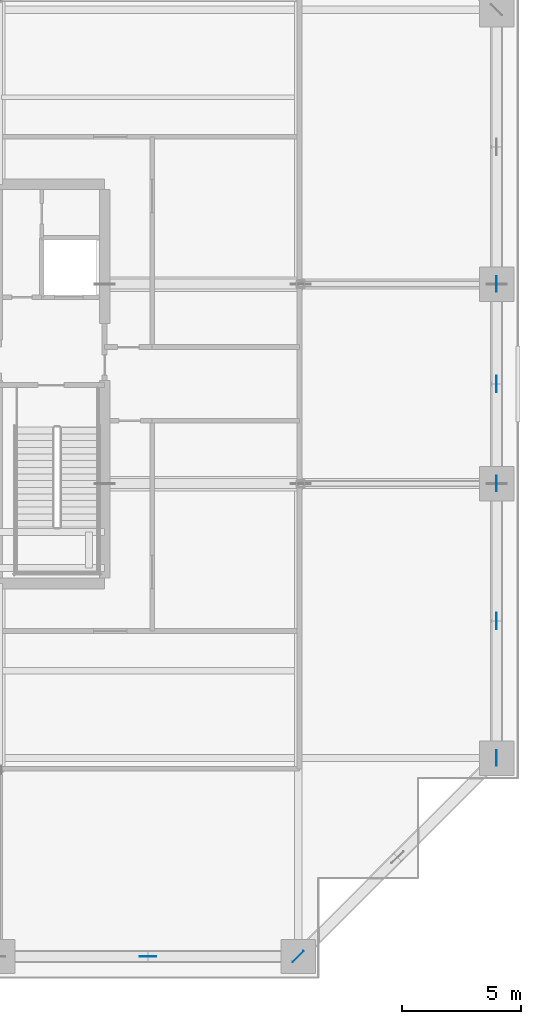
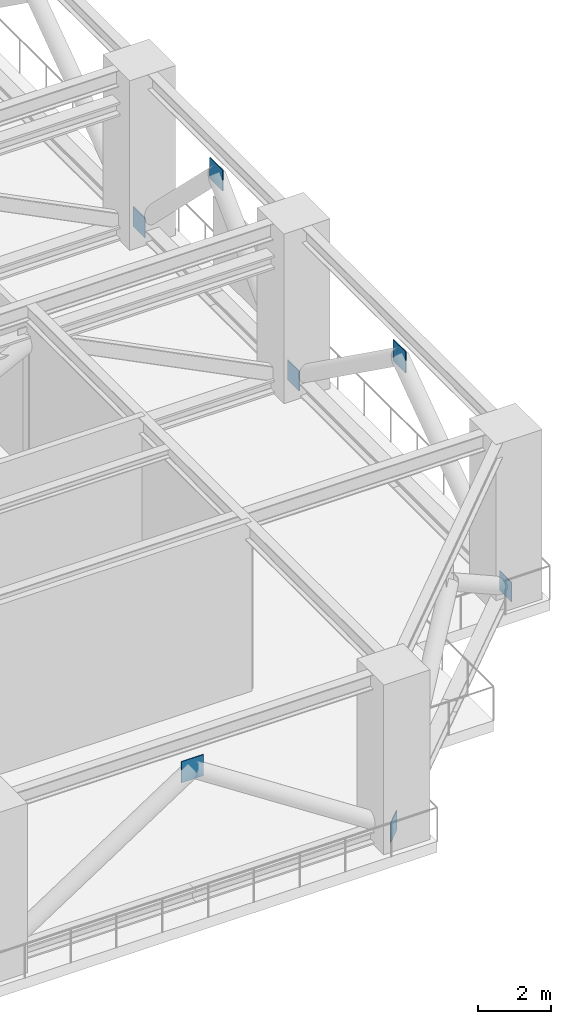
# One storey, part 11 of 21: 7 plates.
"""IFC4 building model written with IfcOpenShell, lengths in metres."""

from ifc_helpers import new_model, si_unit, direction, frame, origin, origin_2d, place, context, subcontext, project, spatial, rectangle, extrude, source, transform, mapped, material, layer, layer_set, type_object, element, save


model = new_model("IFC4")

# Units and contexts
model_context = context("Model", 3, precision=1e-05, world=origin(), true_north=direction((0.0, 1.0)))
body_context = subcontext(model_context, "Body", "Model", "MODEL_VIEW")
ifc_project = project(units=[si_unit("LENGTHUNIT", "METRE"), si_unit("AREAUNIT", "SQUARE_METRE"), si_unit("VOLUMEUNIT", "CUBIC_METRE"), si_unit("PLANEANGLEUNIT", "RADIAN"), si_unit("MASSUNIT", "GRAM", prefix="KILO")], contexts=[model_context])

# Site, building, storey
site_placement = place(None, origin())
site = spatial("IfcSite", under=ifc_project, at=site_placement, CompositionType="ELEMENT")
building_placement = place(site_placement, origin())
building = spatial("IfcBuilding", under=site, at=building_placement, Name="Serunith Strait Residences", CompositionType="ELEMENT")
storey_placement = place(building_placement, frame((0.0, 0.0, 109.199951171875)))
storey = spatial("IfcBuildingStorey", under=building, at=storey_placement, Name="L27", CompositionType="ELEMENT", Elevation=109.199951171875)

# Plates
ifc_material = material(Name="Steel S460M", Category="steel")
ifc_layer = layer(ifc_material, 0.02490234375, Name="Steel S460M")
ifc_layer_set = layer_set([ifc_layer], Name="Steel S460M")
plate_type = type_object("IfcPlateType", Name="PLT-CAP-25", PredefinedType="SHEET", material=ifc_layer_set)
shared_shape_1 = source(origin(), body_context, "Body", "SweptSolid", [
    extrude(rectangle(XDim=0.699951171875, YDim=0.02490234375, at=origin_2d()), origin(), (0.0, 0.0, 1.0), 0.699951171875),
])
for number, where, z_axis, x_axis, name in (
    (1, (43.22509765625, 1.10009765625, 4.0400390625), (0.0, 0.0, 1.0), (1.0, 0.0, 0.0), "L27 Belt Truss Apex Gusset 03"),
    (2, (57.89990234375, 15.22509765625, 4.0400390625), (0.0, 0.0, 1.0), (0.0, 1.0, 0.0), "L27 Belt Truss Apex Gusset 05"),
    (3, (57.89990234375, 25.199951171875, 4.0400390625), (0.0, 0.0, 1.0), (0.0, 1.0, 0.0), "L27 Belt Truss Apex Gusset 06"),
):
    element("IfcPlate", number, at=place(storey_placement, frame(where, z_axis=z_axis, x_axis=x_axis)), inside=storey, type_object=plate_type, Name=name, PredefinedType="SHEET", context=body_context, shape_type="MappedRepresentation", body=[
        mapped(shared_shape_1, transform((0.0, 0.0, 0.0), scale=1.0)),
    ])
shared_shape_2 = source(origin(), body_context, "Body", "SweptSolid", [
    extrude(rectangle(XDim=0.64990234375, YDim=0.02490234375, at=origin_2d()), origin(), (0.0, 0.0, 1.0), 0.64990234375),
])
for number, where, z_axis, x_axis, name in (
    (4, (49.550048828125, 1.10009765625, -0.074951171875), (0.0, 0.0, 1.0), (0.707106781187, 0.707106781187, 0.0), "L27 Belt Truss Column Node Plate 04"),
    (5, (57.89990234375, 9.449951171875, -0.074951171875), (0.0, 0.0, 1.0), (0.0, 1.0, 0.0), "L27 Belt Truss Column Node Plate 05"),
    (6, (57.89990234375, 21.0, -0.074951171875), (0.0, 0.0, 1.0), (0.0, 1.0, 0.0), "L27 Belt Truss Column Node Plate 06"),
    (7, (57.89990234375, 29.39990234375, -0.074951171875), (0.0, 0.0, 1.0), (0.0, 1.0, 0.0), "L27 Belt Truss Column Node Plate 07"),
):
    element("IfcPlate", number, at=place(storey_placement, frame(where, z_axis=z_axis, x_axis=x_axis)), inside=storey, type_object=plate_type, Name=name, PredefinedType="SHEET", context=body_context, shape_type="MappedRepresentation", body=[
        mapped(shared_shape_2, transform((0.0, 0.0, 0.0), scale=1.0)),
    ])

save(model, "model.ifc")
